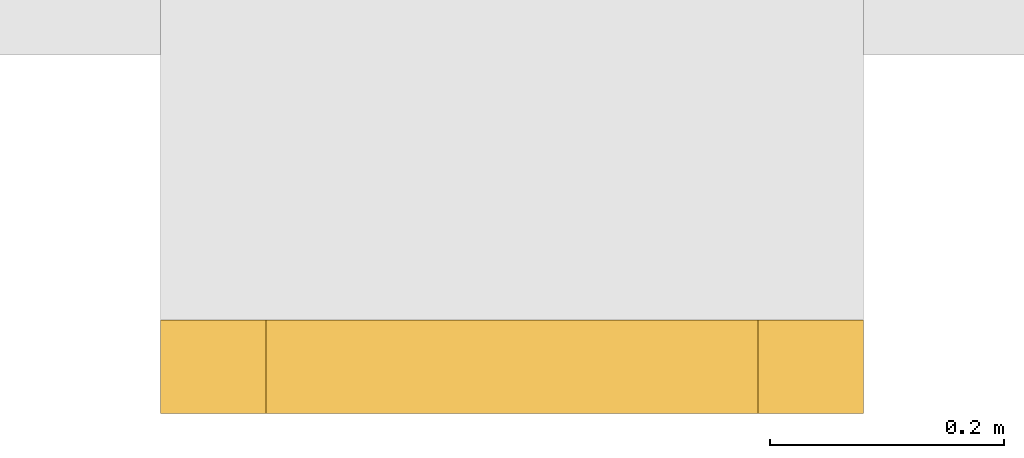
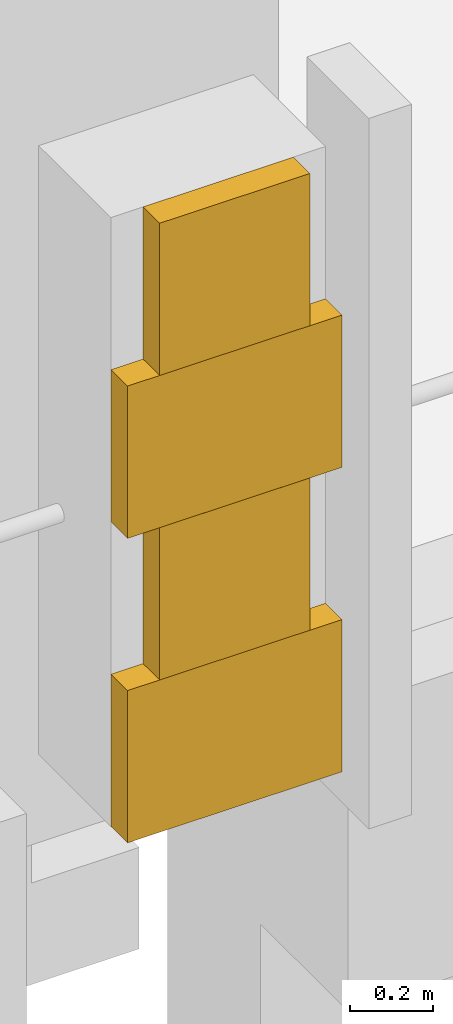
# One storey, part 58 of 61: 4 coverings.
"""IFC4 building model written with IfcOpenShell, lengths in metres."""

import ifcopenshell
import ifcopenshell.guid

model = None  # the IFC model being written
_history = None  # IfcOwnerHistory: only IFC2X3 demands one
_inside = {}  # id of a spatial element -> (the spatial element, [elements in it])
_under = {}  # id of a project, library or spatial element -> (it, [spatial elements below it])
_declared = {}  # id of a project -> (the project, [libraries it declares])
_typed = {}  # id of a type object -> (the type object, [elements of that type])
_made_of = {}  # id of a material, layer set ... -> (it, [elements and type objects made of it])


def new_model(schema):
    """Start an empty IFC model of exactly this schema.

    Asked for "IFC4X3", IfcOpenShell would pick the latest addendum, in which some entities
    have other attributes; the version numbers below select the first issue.
    IFC2X3 requires an IfcOwnerHistory on every rooted entity: one is made here for all.
    """
    global model, _history
    if schema == "IFC4X3":
        model = ifcopenshell.file(schema_version=(4, 3, 0, 0))
    else:
        model = ifcopenshell.file(schema=schema)
    _inside.clear()
    _under.clear()
    _declared.clear()
    _typed.clear()
    _made_of.clear()
    _history = None
    if model.schema == "IFC2X3":
        org = make("IfcOrganization", Name="unknown")
        user = make(
            "IfcPersonAndOrganization",
            ThePerson=make("IfcPerson", FamilyName="unknown"),
            TheOrganization=org,
        )
        app = make(
            "IfcApplication",
            ApplicationDeveloper=org,
            Version="unknown",
            ApplicationFullName="unknown",
            ApplicationIdentifier="unknown",
        )
        _history = make(
            "IfcOwnerHistory",
            OwningUser=user,
            OwningApplication=app,
            ChangeAction="ADDED",
            CreationDate=0,
        )
    return model


def make(cls, **values):
    """One entity of the class cls with the attributes given. An attribute that is None is left unset."""
    return model.create_entity(
        cls, **{name: value for name, value in values.items() if value is not None}
    )


def rooted(cls, **values):
    """An entity with a GlobalId (a new one), such as an element, a storey or a relation."""
    return make(cls, GlobalId=ifcopenshell.guid.new(), OwnerHistory=_history, **values)


def si_unit(unit_type, name, prefix=None):
    """IfcSIUnit, for example si_unit("LENGTHUNIT", "METRE", prefix="MILLI")."""
    return make("IfcSIUnit", UnitType=unit_type, Prefix=prefix, Name=name)


def assignment(units):
    """IfcUnitAssignment: the units of a project."""
    return None if units is None else make("IfcUnitAssignment", Units=units)


def point(xyz):
    """IfcCartesianPoint."""
    return None if xyz is None else make("IfcCartesianPoint", Coordinates=xyz)


def direction(xyz):
    """IfcDirection."""
    return None if xyz is None else make("IfcDirection", DirectionRatios=xyz)


def frame(location, z_axis=None, x_axis=None):
    """IfcAxis2Placement3D, a coordinate frame: its origin and axes. An axis left out is left unset."""
    return make(
        "IfcAxis2Placement3D",
        Location=point(location),
        Axis=direction(z_axis),
        RefDirection=direction(x_axis),
    )


def origin():
    """The frame at (0, 0, 0) with its axes left unset."""
    return frame((0.0, 0.0, 0.0))


def place(relative_to, where):
    """IfcLocalPlacement: puts the frame where relative to a parent placement (None: the world)."""
    return make(
        "IfcLocalPlacement", PlacementRelTo=relative_to, RelativePlacement=where
    )


def context(
    kind, dimensions, precision=None, world=None, true_north=None, identifier=None
):
    """IfcGeometricRepresentationContext, for example the 3D "Model" context."""
    return make(
        "IfcGeometricRepresentationContext",
        ContextIdentifier=identifier,
        ContextType=kind,
        CoordinateSpaceDimension=dimensions,
        Precision=precision,
        WorldCoordinateSystem=world,
        TrueNorth=true_north,
    )


def subcontext(parent, identifier, kind, view, scale=None):
    """IfcGeometricRepresentationSubContext, for example "Body" below "Model"."""
    return make(
        "IfcGeometricRepresentationSubContext",
        ContextIdentifier=identifier,
        ContextType=kind,
        ParentContext=parent,
        TargetScale=scale,
        TargetView=view,
    )


def project(units=None, contexts=None):
    """IfcProject with its units and contexts."""
    return rooted(
        "IfcProject",
        Name="project",
        RepresentationContexts=contexts,
        UnitsInContext=assignment(units),
    )


def spatial(cls, under=None, at=None, **own):
    """A site, building, storey or space (cls), placed at a placement, below another one or the project."""
    s = rooted(cls, ObjectPlacement=at, **own)
    if under is not None:
        _under.setdefault(under.id(), (under, []))[1].append(s)
    return s


def polyline(points):
    """IfcPolyline through the points."""
    return make("IfcPolyline", Points=[point(p) for p in points])


def outline(outer, holes=None, kind="AREA"):
    """IfcArbitraryClosedProfileDef: a profile drawn as a closed curve; with holes, ...WithVoids."""
    if holes is None:
        return make("IfcArbitraryClosedProfileDef", ProfileType=kind, OuterCurve=outer)
    return make(
        "IfcArbitraryProfileDefWithVoids",
        ProfileType=kind,
        OuterCurve=outer,
        InnerCurves=holes,
    )


def extrude(swept, where, along, depth):
    """IfcExtrudedAreaSolid: the profile swept, set in the frame where, extruded along a direction by depth."""
    return make(
        "IfcExtrudedAreaSolid",
        SweptArea=swept,
        Position=where,
        ExtrudedDirection=direction(along),
        Depth=depth,
    )


def shape(context_of_items, identifier, shape_type, items):
    """IfcShapeRepresentation: the items that make up one representation, for example the "Body"."""
    return make(
        "IfcShapeRepresentation",
        ContextOfItems=context_of_items,
        RepresentationIdentifier=identifier,
        RepresentationType=shape_type,
        Items=items,
    )


def material(Name=None, Category=None):
    """IfcMaterial."""
    return make("IfcMaterial", Name=Name, Category=Category)


def layer(
    of_material, thickness, ventilated=None, Name=None, Category=None, Priority=None
):
    """IfcMaterialLayer: one layer of a wall or slab, of a material (None: an air gap)."""
    return make(
        "IfcMaterialLayer",
        Material=of_material,
        LayerThickness=thickness,
        IsVentilated=ventilated,
        Name=Name,
        Category=Category,
        Priority=Priority,
    )


def layer_set(layers, Name=None):
    """IfcMaterialLayerSet."""
    return make("IfcMaterialLayerSet", MaterialLayers=layers, LayerSetName=Name)


def made_of(thing, what):
    """Note that an element or type object is made of a material, layer set ...; save() writes the relation."""
    if what is not None:
        _made_of.setdefault(what.id(), (what, []))[1].append(thing)
    return thing


def type_object(cls, material=None, **own):
    """A type object (cls), such as IfcWallType, which elements share."""
    return made_of(rooted(cls, **own), material)


def element(
    cls,
    number,
    at=None,
    inside=None,
    cuts=None,
    type_object=None,
    material=None,
    context=None,
    identifier="Body",
    shape_type=None,
    held_by="IfcProductDefinitionShape",
    body=None,
    shapes=None,
    **own,
):
    """One element of the class cls, such as IfcWall. Its Tag is "e" and its number.

    at: its placement. inside: the storey or other place that contains it. cuts: it is an
    opening in that element (IfcRelVoidsElement). A single representation is given by context,
    identifier, shape_type and body (its items); several are given by shapes. held_by: the class
    of the entity that holds the representations. save() writes the other relations.
    """
    e = rooted(cls, Tag="e%d" % number, ObjectPlacement=at, **own)
    if body is not None:
        shapes = [shape(context, identifier, shape_type, body)]
    if shapes is not None:
        e.Representation = make(held_by, Representations=shapes)
    if inside is not None:
        _inside.setdefault(inside.id(), (inside, []))[1].append(e)
    if cuts is not None:
        rooted(
            "IfcRelVoidsElement", RelatingBuildingElement=cuts, RelatedOpeningElement=e
        )
    if type_object is not None:
        _typed.setdefault(type_object.id(), (type_object, []))[1].append(e)
    return made_of(e, material)


def aggregate(whole, parts):
    """IfcRelAggregates: a whole, such as a stair, and the parts it consists of."""
    return rooted("IfcRelAggregates", RelatingObject=whole, RelatedObjects=parts)


def save(model, path):
    """Write the relations noted so far, then the file.

    IfcRelAggregates (storeys below a building ...), IfcRelContainedInSpatialStructure (elements
    in a storey), IfcRelDefinesByType, IfcRelAssociatesMaterial and IfcRelDeclares: one each for
    every whole, place, type object, material and project.
    """
    for whole, parts in _under.values():
        aggregate(whole, parts)
    for where, things in _inside.values():
        rooted(
            "IfcRelContainedInSpatialStructure",
            RelatedElements=things,
            RelatingStructure=where,
        )
    for kind, things in _typed.values():
        rooted("IfcRelDefinesByType", RelatedObjects=things, RelatingType=kind)
    for what, things in _made_of.values():
        rooted("IfcRelAssociatesMaterial", RelatedObjects=things, RelatingMaterial=what)
    for by, libraries in _declared.values():
        rooted("IfcRelDeclares", RelatingContext=by, RelatedDefinitions=libraries)
    model.write(path)


model = new_model("IFC4")

# Units and contexts
model_context = context("Model", 3, precision=1e-05, world=origin(), true_north=direction((0.0, 1.0)))
body_context = subcontext(model_context, "Body", "Model", "MODEL_VIEW")
ifc_project = project(units=[si_unit("LENGTHUNIT", "METRE"), si_unit("AREAUNIT", "SQUARE_METRE"), si_unit("VOLUMEUNIT", "CUBIC_METRE"), si_unit("PLANEANGLEUNIT", "RADIAN"), si_unit("MASSUNIT", "GRAM", prefix="KILO")], contexts=[model_context])

# Site, building, storey
site_placement = place(None, origin())
site = spatial("IfcSite", under=ifc_project, at=site_placement, CompositionType="ELEMENT")
building_placement = place(site_placement, origin())
building = spatial("IfcBuilding", under=site, at=building_placement, Name="Cour d'Honneur Mobility Palace", CompositionType="ELEMENT")
storey_placement = place(building_placement, frame((0.0, 0.0, 11.89990234375)))
storey = spatial("IfcBuildingStorey", under=building, at=storey_placement, Name="L03", CompositionType="ELEMENT", Elevation=11.89990234375)

# Coverings
ifc_material = material(Name="Cast limestone", Category="masonry")
ifc_layer = layer(ifc_material, 0.080078125)
ifc_layer_set = layer_set([ifc_layer], Name="Cast limestone")
covering_type = type_object("IfcCoveringType", Name="Quoin block", PredefinedType="CLADDING", material=ifc_layer_set)
covering_1_placement = place(storey_placement, frame((0.0, 0.0, 0.300048828125)))
element("IfcCovering", 1, at=covering_1_placement, inside=storey, type_object=covering_type, Name="Quoin block QN-21", PredefinedType="CLADDING", context=body_context, shape_type="SweptSolid", body=[
    extrude(outline(polyline([(153.300048828125, -0.800048828125), (153.89990234375, -0.800048828125), (153.89990234375, -0.8798828125), (153.300048828125, -0.8798828125), (153.300048828125, -0.800048828125)])), origin(), (0.0, 0.0, 1.0), 0.449951171875),
])
covering_2_placement = place(storey_placement, frame((0.0, 0.0, 0.75)))
element("IfcCovering", 2, at=covering_2_placement, inside=storey, type_object=covering_type, Name="Quoin block QN-22", PredefinedType="CLADDING", context=body_context, shape_type="SweptSolid", body=[
    extrude(outline(polyline([(153.389892578125, -0.800048828125), (153.81005859375, -0.800048828125), (153.81005859375, -0.8798828125), (153.389892578125, -0.8798828125), (153.389892578125, -0.800048828125)])), origin(), (0.0, 0.0, 1.0), 0.4501953125),
])
covering_3_placement = place(storey_placement, frame((0.0, 0.0, 1.2001953125)))
element("IfcCovering", 3, at=covering_3_placement, inside=storey, type_object=covering_type, Name="Quoin block QN-23", PredefinedType="CLADDING", context=body_context, shape_type="SweptSolid", body=[
    extrude(outline(polyline([(153.300048828125, -0.800048828125), (153.89990234375, -0.800048828125), (153.89990234375, -0.8798828125), (153.300048828125, -0.8798828125), (153.300048828125, -0.800048828125)])), origin(), (0.0, 0.0, 1.0), 0.449951171875),
])
covering_4_placement = place(storey_placement, frame((0.0, 0.0, 1.650146484375)))
element("IfcCovering", 4, at=covering_4_placement, inside=storey, type_object=covering_type, Name="Quoin block QN-24", PredefinedType="CLADDING", context=body_context, shape_type="SweptSolid", body=[
    extrude(outline(polyline([(153.389892578125, -0.800048828125), (153.81005859375, -0.800048828125), (153.81005859375, -0.8798828125), (153.389892578125, -0.8798828125), (153.389892578125, -0.800048828125)])), origin(), (0.0, 0.0, 1.0), 0.449951171875),
])

save(model, "model.ifc")
